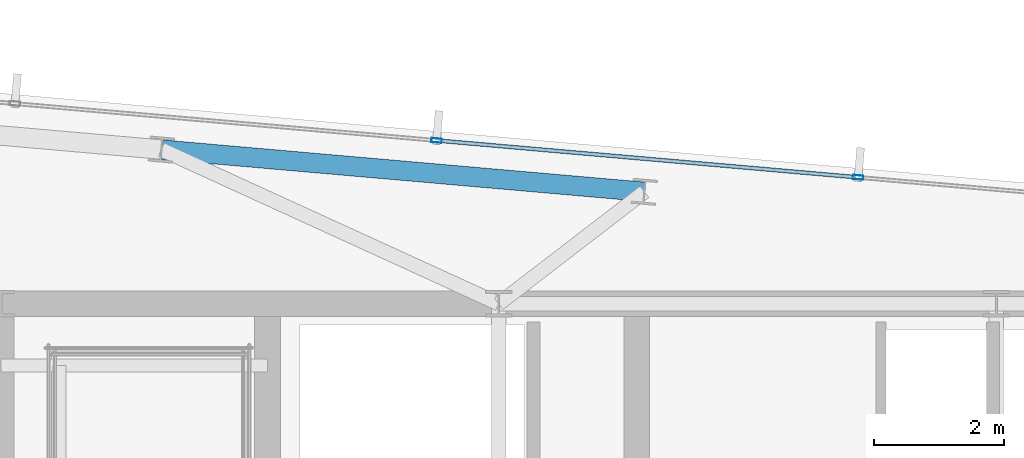
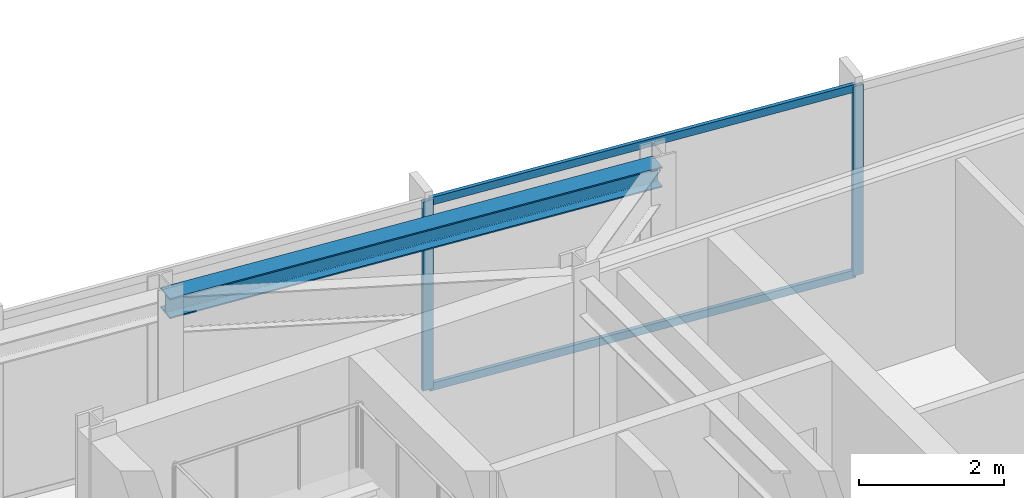
# One storey, part 25 of 33: 4 members, 1 beam, 1 element without a shape of its own.
"""IFC4 building model written with IfcOpenShell, lengths in metres."""

from ifc_helpers import new_model, si_unit, direction, frame, origin, origin_2d, place, context, subcontext, project, spatial, hollow_rectangle, i_section, extrude, material, material_profile, profile_set, type_object, element, aggregate, save


model = new_model("IFC4")

# Units and contexts
model_context = context("Model", 3, precision=1e-05, world=origin(), true_north=direction((0.0, 1.0)))
body_context = subcontext(model_context, "Body", "Model", "MODEL_VIEW")
ifc_project = project(units=[si_unit("LENGTHUNIT", "METRE"), si_unit("AREAUNIT", "SQUARE_METRE"), si_unit("VOLUMEUNIT", "CUBIC_METRE"), si_unit("PLANEANGLEUNIT", "RADIAN"), si_unit("MASSUNIT", "GRAM", prefix="KILO")], contexts=[model_context])

# Site, building, storey
site_placement = place(None, origin())
site = spatial("IfcSite", under=ifc_project, at=site_placement, CompositionType="ELEMENT")
building_placement = place(site_placement, origin())
building = spatial("IfcBuilding", under=site, at=building_placement, Name="Yelkora Congress Tower", CompositionType="ELEMENT")
storey_placement = place(building_placement, frame((0.0, 0.0, 286.300048828125)))
storey = spatial("IfcBuildingStorey", under=building, at=storey_placement, Name="L80", CompositionType="ELEMENT", Elevation=286.300048828125)

# Beam
ifc_material_1 = material(Name="Steel S355J2", Category="steel")
ifc_material_profile_1 = material_profile(ifc_material_1, i_section(OverallWidth=0.300048828125, OverallDepth=0.340087890625, WebThickness=0.011962890625, FlangeThickness=0.021484375, FilletRadius=0.027099609375, at=origin_2d()), Name="HEB 340")
ifc_profile_set_1 = profile_set([ifc_material_profile_1], Name="Steel S355J2")
beam_type = type_object("IfcBeamType", Name="BM-SPAN-HEB340", PredefinedType="SPANDREL", material=ifc_profile_set_1)
beam_placement = place(storey_placement, frame((32.968505859375, 47.927490234375, 3.010009765625), z_axis=(-0.996195771192, 0.087143476284, 0.0), x_axis=(-0.087143476284, -0.996195771192, 0.0)))
element("IfcBeam", 1, at=beam_placement, inside=storey, type_object=beam_type, Name="L80 Perimeter Beam 10", PredefinedType="SPANDREL", context=body_context, shape_type="SweptSolid", body=[
    extrude(i_section(OverallWidth=0.300048828125, OverallDepth=0.340087890625, WebThickness=0.011962890625, FlangeThickness=0.021484375, FilletRadius=0.027099609375, at=origin_2d()), origin(), (0.0, 0.0, 1.0), 7.483154296875),
])

# Curtain wall, members
ifc_material_2 = material(Name="Anodised aluminium and insulated glass", Category="aluminium")
curtain_wall_type = type_object("IfcCurtainWallType", Name="CW-SYS-B5", PredefinedType="NOTDEFINED", material=ifc_material_2)
curtain_wall_placement = place(storey_placement, origin())
curtain_wall = element("IfcCurtainWall", 2, at=curtain_wall_placement, inside=storey, type_object=curtain_wall_type, Name="L80 Unitised Curtain Wall 10", PredefinedType="NOTDEFINED")
ifc_material_3 = material(Name="Anodised aluminium 6063-T6", Category="aluminium")
ifc_material_profile_2 = material_profile(ifc_material_3, hollow_rectangle(XDim=0.06494140625, YDim=0.159912109375, WallThickness=0.00390625, at=origin_2d()), Name="ALU 65x160x4")
ifc_profile_set_2 = profile_set([ifc_material_profile_2], Name="Anodised aluminium 6063-T6")
member_type_1 = type_object("IfcMemberType", Name="MEM-ML-B5", PredefinedType="MULLION", material=ifc_profile_set_2)
member_1_placement = place(storey_placement, frame((29.759765625, 48.719970703125, 0.0), z_axis=(0.0, 0.0, 1.0), x_axis=(0.087156639893, 0.996194619601, 0.0)))
member_1 = element("IfcMember", 3, at=member_1_placement, type_object=member_type_1, Name="CW-B5 mullion 4", PredefinedType="MULLION", context=body_context, shape_type="SweptSolid", body=[
    extrude(hollow_rectangle(XDim=0.06494140625, YDim=0.159912109375, WallThickness=0.00390625, at=origin_2d()), origin(), (0.0, 0.0, 1.0), 3.179931640625),
])
member_2_placement = place(storey_placement, frame((36.266357421875, 48.15087890625, 0.0), z_axis=(0.0, 0.0, 1.0), x_axis=(0.087156639893, 0.996194619601, 0.0)))
member_2 = element("IfcMember", 4, at=member_2_placement, type_object=member_type_1, Name="CW-B5 mullion 5", PredefinedType="MULLION", context=body_context, shape_type="SweptSolid", body=[
    extrude(hollow_rectangle(XDim=0.06494140625, YDim=0.159912109375, WallThickness=0.00390625, at=origin_2d()), origin(), (0.0, 0.0, 1.0), 3.179931640625),
])
ifc_material_profile_3 = material_profile(ifc_material_3, hollow_rectangle(XDim=0.06005859375, YDim=0.1298828125, WallThickness=0.00390625, at=origin_2d()), Name="ALU 60x130x4")
ifc_profile_set_3 = profile_set([ifc_material_profile_3], Name="Anodised aluminium 6063-T6")
member_type_2 = type_object("IfcMemberType", Name="MEM-TR-B5", PredefinedType="USERDEFINED", material=ifc_profile_set_3)
member_3_placement = place(storey_placement, frame((29.7919921875, 48.71728515625, 0.030029296875), z_axis=(0.996192979814, -0.08717538052, 0.0), x_axis=(0.08717538052, 0.996192979814, 0.0)))
member_3 = element("IfcMember", 5, at=member_3_placement, type_object=member_type_2, Name="CW-B5 transom 4.1", ObjectType="TRANSOM", PredefinedType="USERDEFINED", context=body_context, shape_type="SweptSolid", body=[
    extrude(hollow_rectangle(XDim=0.06005859375, YDim=0.1298828125, WallThickness=0.00390625, at=origin_2d()), origin(), (0.0, 0.0, 1.0), 6.466552734375),
])
member_4_placement = place(storey_placement, frame((29.7919921875, 48.71728515625, 3.14990234375), z_axis=(0.996192979814, -0.08717538052, 0.0), x_axis=(0.08717538052, 0.996192979814, 0.0)))
member_4 = element("IfcMember", 6, at=member_4_placement, type_object=member_type_2, Name="CW-B5 transom 4.2", ObjectType="TRANSOM", PredefinedType="USERDEFINED", context=body_context, shape_type="SweptSolid", body=[
    extrude(hollow_rectangle(XDim=0.06005859375, YDim=0.1298828125, WallThickness=0.00390625, at=origin_2d()), origin(), (0.0, 0.0, 1.0), 6.466552734375),
])
aggregate(curtain_wall, [member_1, member_2, member_3, member_4])

save(model, "model.ifc")
